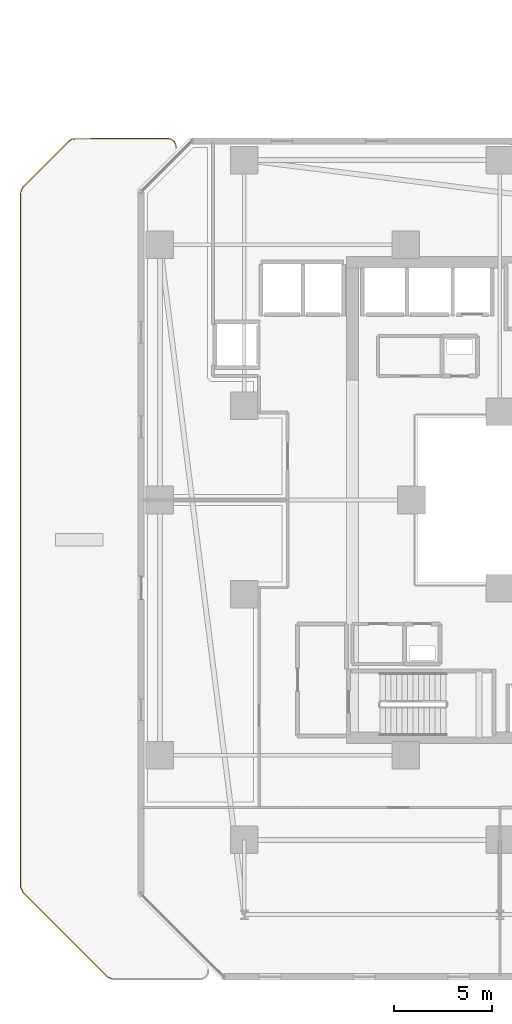
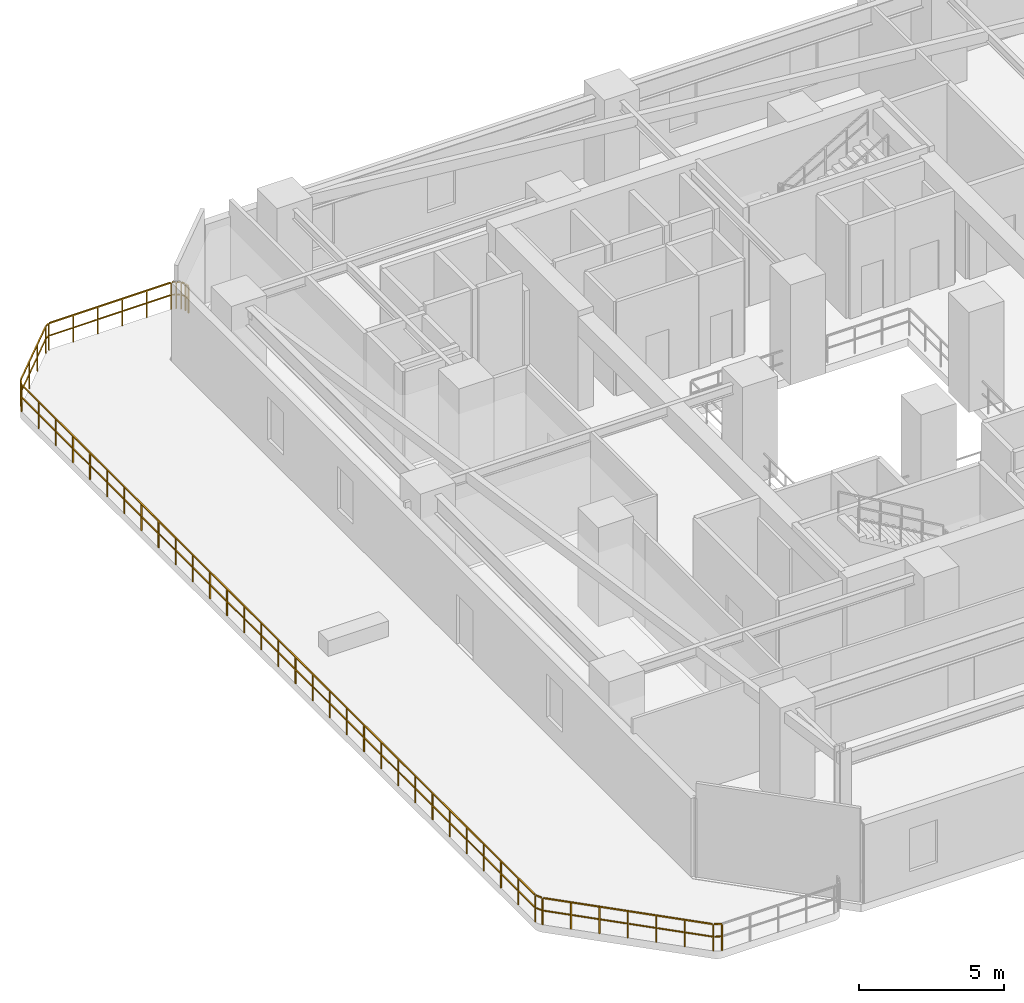
# One storey, part 29 of 33: 1 railing.
"""IFC4 building model written with IfcOpenShell, lengths in metres."""

from ifc_helpers import new_model, si_unit, direction, frame, origin, origin_2d, place, context, subcontext, project, spatial, rectangle, extrude, material, type_object, element, save


model = new_model("IFC4")

# Units and contexts
model_context = context("Model", 3, precision=1e-05, world=origin(), true_north=direction((0.0, 1.0)))
body_context = subcontext(model_context, "Body", "Model", "MODEL_VIEW")
ifc_project = project(units=[si_unit("LENGTHUNIT", "METRE"), si_unit("AREAUNIT", "SQUARE_METRE"), si_unit("VOLUMEUNIT", "CUBIC_METRE"), si_unit("PLANEANGLEUNIT", "RADIAN"), si_unit("MASSUNIT", "GRAM", prefix="KILO")], contexts=[model_context])

# Site, building, storey
site_placement = place(None, origin())
site = spatial("IfcSite", under=ifc_project, at=site_placement, CompositionType="ELEMENT")
building_placement = place(site_placement, origin())
building = spatial("IfcBuilding", under=site, at=building_placement, Name="Thornwick Lancets Civic Towers", CompositionType="ELEMENT")
storey_placement = place(building_placement, frame((0.0, 0.0, 49.5)))
storey = spatial("IfcBuildingStorey", under=building, at=storey_placement, Name="L12", CompositionType="ELEMENT", Elevation=49.5)

# Railing
ifc_material = material(Name="Terracotta-capped laminated glass balustrade S355", Category="masonry")
railing_type = type_object("IfcRailingType", Name="RAIL_TERR_GUARD", PredefinedType="GUARDRAIL", material=ifc_material)
railing_placement = place(storey_placement, frame((5.806396484375, 2.602294921875, 0.0)))
element("IfcRailing", 1, at=railing_placement, inside=storey, type_object=railing_type, Name="L12 Tower A Sky-Garden Guard 1 Part 1", PredefinedType="GUARDRAIL", context=body_context, shape_type="SweptSolid", body=[
    extrude(rectangle(XDim=0.048095703125, YDim=0.048095703125, at=origin_2d()), frame((0.0, 0.0, 1.1259765625), z_axis=(-0.904343633652, 0.426805098696, 0.0), x_axis=(-0.426805098696, -0.904343633652, 0.0)), (0.0, 0.0, 1.0), 0.27197265625),
    extrude(rectangle(XDim=0.0419921875, YDim=0.0419921875, at=origin_2d()), frame((-0.033935546875, 0.01611328125, 0.597900390625), z_axis=(-0.904343633652, 0.426805098696, 0.0), x_axis=(-0.426805098696, -0.904343633652, 0.0)), (0.0, 0.0, 1.0), 0.228271484375),
    extrude(rectangle(XDim=0.048095703125, YDim=0.048095703125, at=origin_2d()), frame((-0.29638671875, 0.151611328125, 1.1259765625), z_axis=(-0.707106781187, 0.707106781187, 0.0), x_axis=(-0.707106781187, -0.707106781187, 0.0)), (0.0, 0.0, 1.0), 6.019287109375),
    extrude(rectangle(XDim=0.0419921875, YDim=0.0419921875, at=origin_2d()), frame((-0.30078125, 0.156005859375, 0.597900390625), z_axis=(-0.707106781187, 0.707106781187, 0.0), x_axis=(-0.707106781187, -0.707106781187, 0.0)), (0.0, 0.0, 1.0), 0.938720703125),
    extrude(rectangle(XDim=0.0419921875, YDim=0.0419921875, at=origin_2d()), frame((-1.017333984375, 0.87255859375, 0.597900390625), z_axis=(-0.707106781187, 0.707106781187, 0.0), x_axis=(-0.707106781187, -0.707106781187, 0.0)), (0.0, 0.0, 1.0), 0.938720703125),
    extrude(rectangle(XDim=0.0419921875, YDim=0.0419921875, at=origin_2d()), frame((-1.734130859375, 1.58935546875, 0.597900390625), z_axis=(-0.707106781187, 0.707106781187, 0.0), x_axis=(-0.707106781187, -0.707106781187, 0.0)), (0.0, 0.0, 1.0), 0.938720703125),
    extrude(rectangle(XDim=0.0419921875, YDim=0.0419921875, at=origin_2d()), frame((-2.450927734375, 2.30615234375, 0.597900390625), z_axis=(-0.707106781187, 0.707106781187, 0.0), x_axis=(-0.707106781187, -0.707106781187, 0.0)), (0.0, 0.0, 1.0), 0.938720703125),
    extrude(rectangle(XDim=0.0419921875, YDim=0.0419921875, at=origin_2d()), frame((-3.167724609375, 3.02294921875, 0.597900390625), z_axis=(-0.707106781187, 0.707106781187, 0.0), x_axis=(-0.707106781187, -0.707106781187, 0.0)), (0.0, 0.0, 1.0), 0.938720703125),
    extrude(rectangle(XDim=0.0419921875, YDim=0.0419921875, at=origin_2d()), frame((-3.884521484375, 3.73974609375, 0.597900390625), z_axis=(-0.707106781187, 0.707106781187, 0.0), x_axis=(-0.707106781187, -0.707106781187, 0.0)), (0.0, 0.0, 1.0), 0.938720703125),
    extrude(rectangle(XDim=0.048095703125, YDim=0.048095703125, at=origin_2d()), frame((-4.588134765625, 4.458251953125, 1.1259765625), z_axis=(-0.426805098696, 0.904343633652, 0.0), x_axis=(-0.904343633652, -0.426805098696, 0.0)), (0.0, 0.0, 1.0), 0.24072265625),
    extrude(rectangle(XDim=0.0419921875, YDim=0.0419921875, at=origin_2d()), frame((-4.5908203125, 4.4638671875, 0.597900390625), z_axis=(-0.426805098696, 0.904343633652, 0.0), x_axis=(-0.904343633652, -0.426805098696, 0.0)), (0.0, 0.0, 1.0), 0.228271484375),
    extrude(rectangle(XDim=0.048095703125, YDim=0.048095703125, at=origin_2d()), frame((-4.7041015625, 4.7353515625, 1.1259765625), z_axis=(0.0, 1.0, 0.0), x_axis=(-1.0, 0.0, 0.0)), (0.0, 0.0, 1.0), 35.288818359375),
    extrude(rectangle(XDim=0.0419921875, YDim=0.0419921875, at=origin_2d()), frame((-4.7041015625, 4.74169921875, 0.597900390625), z_axis=(0.0, 1.0, 0.0), x_axis=(-1.0, 0.0, 0.0)), (0.0, 0.0, 1.0), 1.103271484375),
    extrude(rectangle(XDim=0.0419921875, YDim=0.0419921875, at=origin_2d()), frame((-4.7041015625, 5.919921875, 0.597900390625), z_axis=(0.0, 1.0, 0.0), x_axis=(-1.0, 0.0, 0.0)), (0.0, 0.0, 1.0), 1.103271484375),
    extrude(rectangle(XDim=0.0419921875, YDim=0.0419921875, at=origin_2d()), frame((-4.7041015625, 7.098388671875, 0.597900390625), z_axis=(0.0, 1.0, 0.0), x_axis=(-1.0, 0.0, 0.0)), (0.0, 0.0, 1.0), 1.103271484375),
    extrude(rectangle(XDim=0.0419921875, YDim=0.0419921875, at=origin_2d()), frame((-4.7041015625, 8.276611328125, 0.597900390625), z_axis=(0.0, 1.0, 0.0), x_axis=(-1.0, 0.0, 0.0)), (0.0, 0.0, 1.0), 1.103271484375),
    extrude(rectangle(XDim=0.0419921875, YDim=0.0419921875, at=origin_2d()), frame((-4.7041015625, 9.455078125, 0.597900390625), z_axis=(0.0, 1.0, 0.0), x_axis=(-1.0, 0.0, 0.0)), (0.0, 0.0, 1.0), 1.103271484375),
    extrude(rectangle(XDim=0.0419921875, YDim=0.0419921875, at=origin_2d()), frame((-4.7041015625, 10.633544921875, 0.597900390625), z_axis=(0.0, 1.0, 0.0), x_axis=(-1.0, 0.0, 0.0)), (0.0, 0.0, 1.0), 1.103271484375),
    extrude(rectangle(XDim=0.0419921875, YDim=0.0419921875, at=origin_2d()), frame((-4.7041015625, 11.811767578125, 0.597900390625), z_axis=(0.0, 1.0, 0.0), x_axis=(-1.0, 0.0, 0.0)), (0.0, 0.0, 1.0), 1.103271484375),
    extrude(rectangle(XDim=0.0419921875, YDim=0.0419921875, at=origin_2d()), frame((-4.7041015625, 12.990234375, 0.597900390625), z_axis=(0.0, 1.0, 0.0), x_axis=(-1.0, 0.0, 0.0)), (0.0, 0.0, 1.0), 1.103271484375),
    extrude(rectangle(XDim=0.0419921875, YDim=0.0419921875, at=origin_2d()), frame((-4.7041015625, 14.168701171875, 0.597900390625), z_axis=(0.0, 1.0, 0.0), x_axis=(-1.0, 0.0, 0.0)), (0.0, 0.0, 1.0), 1.103271484375),
    extrude(rectangle(XDim=0.0419921875, YDim=0.0419921875, at=origin_2d()), frame((-4.7041015625, 15.346923828125, 0.597900390625), z_axis=(0.0, 1.0, 0.0), x_axis=(-1.0, 0.0, 0.0)), (0.0, 0.0, 1.0), 1.103271484375),
    extrude(rectangle(XDim=0.0419921875, YDim=0.0419921875, at=origin_2d()), frame((-4.7041015625, 16.525390625, 0.597900390625), z_axis=(0.0, 1.0, 0.0), x_axis=(-1.0, 0.0, 0.0)), (0.0, 0.0, 1.0), 1.103271484375),
    extrude(rectangle(XDim=0.0419921875, YDim=0.0419921875, at=origin_2d()), frame((-4.7041015625, 17.703857421875, 0.597900390625), z_axis=(0.0, 1.0, 0.0), x_axis=(-1.0, 0.0, 0.0)), (0.0, 0.0, 1.0), 1.103271484375),
    extrude(rectangle(XDim=0.0419921875, YDim=0.0419921875, at=origin_2d()), frame((-4.7041015625, 18.882080078125, 0.597900390625), z_axis=(0.0, 1.0, 0.0), x_axis=(-1.0, 0.0, 0.0)), (0.0, 0.0, 1.0), 1.103271484375),
    extrude(rectangle(XDim=0.0419921875, YDim=0.0419921875, at=origin_2d()), frame((-4.7041015625, 20.060546875, 0.597900390625), z_axis=(0.0, 1.0, 0.0), x_axis=(-1.0, 0.0, 0.0)), (0.0, 0.0, 1.0), 1.103271484375),
    extrude(rectangle(XDim=0.0419921875, YDim=0.0419921875, at=origin_2d()), frame((-4.7041015625, 21.23876953125, 0.597900390625), z_axis=(0.0, 1.0, 0.0), x_axis=(-1.0, 0.0, 0.0)), (0.0, 0.0, 1.0), 1.103271484375),
    extrude(rectangle(XDim=0.0419921875, YDim=0.0419921875, at=origin_2d()), frame((-4.7041015625, 22.417236328125, 0.597900390625), z_axis=(0.0, 1.0, 0.0), x_axis=(-1.0, 0.0, 0.0)), (0.0, 0.0, 1.0), 1.103271484375),
    extrude(rectangle(XDim=0.0419921875, YDim=0.0419921875, at=origin_2d()), frame((-4.7041015625, 23.595703125, 0.597900390625), z_axis=(0.0, 1.0, 0.0), x_axis=(-1.0, 0.0, 0.0)), (0.0, 0.0, 1.0), 1.103271484375),
    extrude(rectangle(XDim=0.0419921875, YDim=0.0419921875, at=origin_2d()), frame((-4.7041015625, 24.77392578125, 0.597900390625), z_axis=(0.0, 1.0, 0.0), x_axis=(-1.0, 0.0, 0.0)), (0.0, 0.0, 1.0), 1.103271484375),
    extrude(rectangle(XDim=0.0419921875, YDim=0.0419921875, at=origin_2d()), frame((-4.7041015625, 25.952392578125, 0.597900390625), z_axis=(0.0, 1.0, 0.0), x_axis=(-1.0, 0.0, 0.0)), (0.0, 0.0, 1.0), 1.103271484375),
    extrude(rectangle(XDim=0.0419921875, YDim=0.0419921875, at=origin_2d()), frame((-4.7041015625, 27.130859375, 0.597900390625), z_axis=(0.0, 1.0, 0.0), x_axis=(-1.0, 0.0, 0.0)), (0.0, 0.0, 1.0), 1.103271484375),
    extrude(rectangle(XDim=0.0419921875, YDim=0.0419921875, at=origin_2d()), frame((-4.7041015625, 28.30908203125, 0.597900390625), z_axis=(0.0, 1.0, 0.0), x_axis=(-1.0, 0.0, 0.0)), (0.0, 0.0, 1.0), 1.103271484375),
    extrude(rectangle(XDim=0.0419921875, YDim=0.0419921875, at=origin_2d()), frame((-4.7041015625, 29.487548828125, 0.597900390625), z_axis=(0.0, 1.0, 0.0), x_axis=(-1.0, 0.0, 0.0)), (0.0, 0.0, 1.0), 1.103271484375),
    extrude(rectangle(XDim=0.0419921875, YDim=0.0419921875, at=origin_2d()), frame((-4.7041015625, 30.666015625, 0.597900390625), z_axis=(0.0, 1.0, 0.0), x_axis=(-1.0, 0.0, 0.0)), (0.0, 0.0, 1.0), 1.103271484375),
    extrude(rectangle(XDim=0.0419921875, YDim=0.0419921875, at=origin_2d()), frame((-4.7041015625, 31.84423828125, 0.597900390625), z_axis=(0.0, 1.0, 0.0), x_axis=(-1.0, 0.0, 0.0)), (0.0, 0.0, 1.0), 1.103271484375),
    extrude(rectangle(XDim=0.0419921875, YDim=0.0419921875, at=origin_2d()), frame((-4.7041015625, 33.022705078125, 0.597900390625), z_axis=(0.0, 1.0, 0.0), x_axis=(-1.0, 0.0, 0.0)), (0.0, 0.0, 1.0), 1.103271484375),
    extrude(rectangle(XDim=0.0419921875, YDim=0.0419921875, at=origin_2d()), frame((-4.7041015625, 34.200927734375, 0.597900390625), z_axis=(0.0, 1.0, 0.0), x_axis=(-1.0, 0.0, 0.0)), (0.0, 0.0, 1.0), 1.103271484375),
    extrude(rectangle(XDim=0.0419921875, YDim=0.0419921875, at=origin_2d()), frame((-4.7041015625, 35.37939453125, 0.597900390625), z_axis=(0.0, 1.0, 0.0), x_axis=(-1.0, 0.0, 0.0)), (0.0, 0.0, 1.0), 1.103271484375),
    extrude(rectangle(XDim=0.0419921875, YDim=0.0419921875, at=origin_2d()), frame((-4.7041015625, 36.557861328125, 0.597900390625), z_axis=(0.0, 1.0, 0.0), x_axis=(-1.0, 0.0, 0.0)), (0.0, 0.0, 1.0), 1.103271484375),
    extrude(rectangle(XDim=0.0419921875, YDim=0.0419921875, at=origin_2d()), frame((-4.7041015625, 37.736083984375, 0.597900390625), z_axis=(0.0, 1.0, 0.0), x_axis=(-1.0, 0.0, 0.0)), (0.0, 0.0, 1.0), 1.103271484375),
    extrude(rectangle(XDim=0.0419921875, YDim=0.0419921875, at=origin_2d()), frame((-4.7041015625, 38.91455078125, 0.597900390625), z_axis=(0.0, 1.0, 0.0), x_axis=(-1.0, 0.0, 0.0)), (0.0, 0.0, 1.0), 1.103271484375),
    extrude(rectangle(XDim=0.048095703125, YDim=0.048095703125, at=origin_2d()), frame((-4.690673828125, 40.083740234375, 1.1259765625), z_axis=(0.426805098696, 0.904343633652, 0.0), x_axis=(-0.904343633652, 0.426805098696, 0.0)), (0.0, 0.0, 1.0), 0.24072265625),
    extrude(rectangle(XDim=0.0419921875, YDim=0.0419921875, at=origin_2d()), frame((-4.68798828125, 40.08935546875, 0.597900390625), z_axis=(0.426805098696, 0.904343633652, 0.0), x_axis=(-0.904343633652, 0.426805098696, 0.0)), (0.0, 0.0, 1.0), 0.228271484375),
    extrude(rectangle(XDim=0.048095703125, YDim=0.048095703125, at=origin_2d()), frame((-4.552490234375, 40.351806640625, 1.1259765625), z_axis=(0.707106781187, 0.707106781187, 0.0), x_axis=(-0.707106781187, 0.707106781187, 0.0)), (0.0, 0.0, 1.0), 3.24169921875),
    extrude(rectangle(XDim=0.0419921875, YDim=0.0419921875, at=origin_2d()), frame((-4.548095703125, 40.356201171875, 0.597900390625), z_axis=(0.707106781187, 0.707106781187, 0.0), x_axis=(-0.707106781187, 0.707106781187, 0.0)), (0.0, 0.0, 1.0), 1.0263671875),
    extrude(rectangle(XDim=0.0419921875, YDim=0.0419921875, at=origin_2d()), frame((-3.769287109375, 41.135009765625, 0.597900390625), z_axis=(0.707106781187, 0.707106781187, 0.0), x_axis=(-0.707106781187, 0.707106781187, 0.0)), (0.0, 0.0, 1.0), 1.0263671875),
    extrude(rectangle(XDim=0.0419921875, YDim=0.0419921875, at=origin_2d()), frame((-2.990478515625, 41.913818359375, 0.597900390625), z_axis=(0.707106781187, 0.707106781187, 0.0), x_axis=(-0.707106781187, 0.707106781187, 0.0)), (0.0, 0.0, 1.0), 1.0263671875),
    extrude(rectangle(XDim=0.048095703125, YDim=0.048095703125, at=origin_2d()), frame((-2.21142578125, 42.68212890625, 1.1259765625), z_axis=(0.858181432178, 0.513346500392, 0.0), x_axis=(-0.513346500392, 0.858181432178, 0.0)), (0.0, 0.0, 1.0), 0.15625),
    extrude(rectangle(XDim=0.0419921875, YDim=0.0419921875, at=origin_2d()), frame((-2.2060546875, 42.685302734375, 0.597900390625), z_axis=(0.858181432178, 0.513346500392, 0.0), x_axis=(-0.513346500392, 0.858181432178, 0.0)), (0.0, 0.0, 1.0), 0.143798828125),
    extrude(rectangle(XDim=0.048095703125, YDim=0.048095703125, at=origin_2d()), frame((-2.019287109375, 42.7783203125, 1.1259765625), z_axis=(0.999993851715, 0.003506641099, 0.0), x_axis=(-0.003506641099, 0.999993851715, 0.0)), (0.0, 0.0, 1.0), 4.81103515625),
    extrude(rectangle(XDim=0.0419921875, YDim=0.0419921875, at=origin_2d()), frame((-2.012939453125, 42.778564453125, 0.597900390625), z_axis=(0.999993851715, 0.003506641099, 0.0), x_axis=(-0.003506641099, 0.999993851715, 0.0)), (0.0, 0.0, 1.0), 0.899658203125),
    extrude(rectangle(XDim=0.0419921875, YDim=0.0419921875, at=origin_2d()), frame((-1.038330078125, 42.781982421875, 0.597900390625), z_axis=(0.999993851715, 0.003506641099, 0.0), x_axis=(-0.003506641099, 0.999993851715, 0.0)), (0.0, 0.0, 1.0), 0.899658203125),
    extrude(rectangle(XDim=0.0419921875, YDim=0.0419921875, at=origin_2d()), frame((-0.063720703125, 42.785400390625, 0.597900390625), z_axis=(0.999993851715, 0.003506641099, 0.0), x_axis=(-0.003506641099, 0.999993851715, 0.0)), (0.0, 0.0, 1.0), 0.899658203125),
    extrude(rectangle(XDim=0.0419921875, YDim=0.0419921875, at=origin_2d()), frame((0.9111328125, 42.788818359375, 0.597900390625), z_axis=(0.999993851715, 0.003506641099, 0.0), x_axis=(-0.003506641099, 0.999993851715, 0.0)), (0.0, 0.0, 1.0), 0.899658203125),
    extrude(rectangle(XDim=0.0419921875, YDim=0.0419921875, at=origin_2d()), frame((1.8857421875, 42.792236328125, 0.597900390625), z_axis=(0.999993851715, 0.003506641099, 0.0), x_axis=(-0.003506641099, 0.999993851715, 0.0)), (0.0, 0.0, 1.0), 0.899658203125),
    extrude(rectangle(XDim=0.048095703125, YDim=0.048095703125, at=origin_2d()), frame((2.85302734375, 42.786376953125, 1.1259765625), z_axis=(0.957211427299, -0.289389501276, 0.0), x_axis=(0.289389501276, 0.957211427299, 0.0)), (0.0, 0.0, 1.0), 0.113037109375),
    extrude(rectangle(XDim=0.0419921875, YDim=0.0419921875, at=origin_2d()), frame((2.85888671875, 42.78466796875, 0.597900390625), z_axis=(0.957211427299, -0.289389501276, 0.0), x_axis=(0.289389501276, 0.957211427299, 0.0)), (0.0, 0.0, 1.0), 0.1005859375),
    extrude(rectangle(XDim=0.048095703125, YDim=0.048095703125, at=origin_2d()), frame((3.01513671875, 42.724853515625, 1.1259765625), z_axis=(0.773213238462, -0.634146109242, 0.0), x_axis=(0.634146109242, 0.773213238462, 0.0)), (0.0, 0.0, 1.0), 0.113037109375),
    extrude(rectangle(XDim=0.0419921875, YDim=0.0419921875, at=origin_2d()), frame((3.02001953125, 42.720947265625, 0.597900390625), z_axis=(0.773213238462, -0.634146109242, 0.0), x_axis=(0.634146109242, 0.773213238462, 0.0)), (0.0, 0.0, 1.0), 0.1005859375),
    extrude(rectangle(XDim=0.048095703125, YDim=0.048095703125, at=origin_2d()), frame((3.141357421875, 42.605712890625, 1.1259765625), z_axis=(0.470948722639, -0.882160586654, 0.0), x_axis=(0.882160586654, 0.470948722639, 0.0)), (0.0, 0.0, 1.0), 0.11328125),
    extrude(rectangle(XDim=0.0419921875, YDim=0.0419921875, at=origin_2d()), frame((3.144287109375, 42.600341796875, 0.597900390625), z_axis=(0.470948722639, -0.882160586654, 0.0), x_axis=(0.882160586654, 0.470948722639, 0.0)), (0.0, 0.0, 1.0), 0.100830078125),
    extrude(rectangle(XDim=0.048095703125, YDim=0.048095703125, at=origin_2d()), frame((3.21240234375, 42.447265625, 1.1259765625), z_axis=(0.094101126617, -0.99556264392, 0.0), x_axis=(0.99556264392, 0.094101126617, 0.0)), (0.0, 0.0, 1.0), 0.147705078125),
    extrude(rectangle(XDim=0.0419921875, YDim=0.0419921875, at=origin_2d()), frame((3.212890625, 42.44091796875, 0.597900390625), z_axis=(0.094101126617, -0.99556264392, 0.0), x_axis=(0.99556264392, 0.094101126617, 0.0)), (0.0, 0.0, 1.0), 0.10400390625),
    extrude(rectangle(XDim=0.0419921875, YDim=0.0419921875, at=origin_2d()), origin(), (0.0, 0.0, 1.0), 1.095703125),
    extrude(rectangle(XDim=0.0419921875, YDim=0.0419921875, at=origin_2d()), frame((-0.274169921875, 0.12939453125, 0.0)), (0.0, 0.0, 1.0), 1.095703125),
    extrude(rectangle(XDim=0.0419921875, YDim=0.0419921875, at=origin_2d()), frame((-0.990966796875, 0.84619140625, 0.0)), (0.0, 0.0, 1.0), 1.095703125),
    extrude(rectangle(XDim=0.0419921875, YDim=0.0419921875, at=origin_2d()), frame((-1.707763671875, 1.56298828125, 0.0)), (0.0, 0.0, 1.0), 1.095703125),
    extrude(rectangle(XDim=0.0419921875, YDim=0.0419921875, at=origin_2d()), frame((-2.42431640625, 2.27978515625, 0.0)), (0.0, 0.0, 1.0), 1.095703125),
    extrude(rectangle(XDim=0.0419921875, YDim=0.0419921875, at=origin_2d()), frame((-3.14111328125, 2.996337890625, 0.0)), (0.0, 0.0, 1.0), 1.095703125),
    extrude(rectangle(XDim=0.0419921875, YDim=0.0419921875, at=origin_2d()), frame((-3.85791015625, 3.713134765625, 0.0)), (0.0, 0.0, 1.0), 1.095703125),
    extrude(rectangle(XDim=0.0419921875, YDim=0.0419921875, at=origin_2d()), frame((-4.57470703125, 4.429931640625, 0.0)), (0.0, 0.0, 1.0), 1.095703125),
    extrude(rectangle(XDim=0.0419921875, YDim=0.0419921875, at=origin_2d()), frame((-4.7041015625, 4.7041015625, 0.0)), (0.0, 0.0, 1.0), 1.095703125),
    extrude(rectangle(XDim=0.0419921875, YDim=0.0419921875, at=origin_2d()), frame((-4.7041015625, 5.882568359375, 0.0)), (0.0, 0.0, 1.0), 1.095703125),
    extrude(rectangle(XDim=0.0419921875, YDim=0.0419921875, at=origin_2d()), frame((-4.7041015625, 7.060791015625, 0.0)), (0.0, 0.0, 1.0), 1.095703125),
    extrude(rectangle(XDim=0.0419921875, YDim=0.0419921875, at=origin_2d()), frame((-4.7041015625, 8.2392578125, 0.0)), (0.0, 0.0, 1.0), 1.095703125),
    extrude(rectangle(XDim=0.0419921875, YDim=0.0419921875, at=origin_2d()), frame((-4.7041015625, 9.417724609375, 0.0)), (0.0, 0.0, 1.0), 1.095703125),
    extrude(rectangle(XDim=0.0419921875, YDim=0.0419921875, at=origin_2d()), frame((-4.7041015625, 10.595947265625, 0.0)), (0.0, 0.0, 1.0), 1.095703125),
    extrude(rectangle(XDim=0.0419921875, YDim=0.0419921875, at=origin_2d()), frame((-4.7041015625, 11.7744140625, 0.0)), (0.0, 0.0, 1.0), 1.095703125),
    extrude(rectangle(XDim=0.0419921875, YDim=0.0419921875, at=origin_2d()), frame((-4.7041015625, 12.95263671875, 0.0)), (0.0, 0.0, 1.0), 1.095703125),
    extrude(rectangle(XDim=0.0419921875, YDim=0.0419921875, at=origin_2d()), frame((-4.7041015625, 14.131103515625, 0.0)), (0.0, 0.0, 1.0), 1.095703125),
    extrude(rectangle(XDim=0.0419921875, YDim=0.0419921875, at=origin_2d()), frame((-4.7041015625, 15.3095703125, 0.0)), (0.0, 0.0, 1.0), 1.095703125),
    extrude(rectangle(XDim=0.0419921875, YDim=0.0419921875, at=origin_2d()), frame((-4.7041015625, 16.48779296875, 0.0)), (0.0, 0.0, 1.0), 1.095703125),
    extrude(rectangle(XDim=0.0419921875, YDim=0.0419921875, at=origin_2d()), frame((-4.7041015625, 17.666259765625, 0.0)), (0.0, 0.0, 1.0), 1.095703125),
    extrude(rectangle(XDim=0.0419921875, YDim=0.0419921875, at=origin_2d()), frame((-4.7041015625, 18.8447265625, 0.0)), (0.0, 0.0, 1.0), 1.095703125),
    extrude(rectangle(XDim=0.0419921875, YDim=0.0419921875, at=origin_2d()), frame((-4.7041015625, 20.02294921875, 0.0)), (0.0, 0.0, 1.0), 1.095703125),
    extrude(rectangle(XDim=0.0419921875, YDim=0.0419921875, at=origin_2d()), frame((-4.7041015625, 21.201416015625, 0.0)), (0.0, 0.0, 1.0), 1.095703125),
    extrude(rectangle(XDim=0.0419921875, YDim=0.0419921875, at=origin_2d()), frame((-4.7041015625, 22.3798828125, 0.0)), (0.0, 0.0, 1.0), 1.095703125),
    extrude(rectangle(XDim=0.0419921875, YDim=0.0419921875, at=origin_2d()), frame((-4.7041015625, 23.55810546875, 0.0)), (0.0, 0.0, 1.0), 1.095703125),
    extrude(rectangle(XDim=0.0419921875, YDim=0.0419921875, at=origin_2d()), frame((-4.7041015625, 24.736572265625, 0.0)), (0.0, 0.0, 1.0), 1.095703125),
    extrude(rectangle(XDim=0.0419921875, YDim=0.0419921875, at=origin_2d()), frame((-4.7041015625, 25.914794921875, 0.0)), (0.0, 0.0, 1.0), 1.095703125),
    extrude(rectangle(XDim=0.0419921875, YDim=0.0419921875, at=origin_2d()), frame((-4.7041015625, 27.09326171875, 0.0)), (0.0, 0.0, 1.0), 1.095703125),
    extrude(rectangle(XDim=0.0419921875, YDim=0.0419921875, at=origin_2d()), frame((-4.7041015625, 28.271728515625, 0.0)), (0.0, 0.0, 1.0), 1.095703125),
    extrude(rectangle(XDim=0.0419921875, YDim=0.0419921875, at=origin_2d()), frame((-4.7041015625, 29.449951171875, 0.0)), (0.0, 0.0, 1.0), 1.095703125),
    extrude(rectangle(XDim=0.0419921875, YDim=0.0419921875, at=origin_2d()), frame((-4.7041015625, 30.62841796875, 0.0)), (0.0, 0.0, 1.0), 1.095703125),
    extrude(rectangle(XDim=0.0419921875, YDim=0.0419921875, at=origin_2d()), frame((-4.7041015625, 31.806884765625, 0.0)), (0.0, 0.0, 1.0), 1.095703125),
    extrude(rectangle(XDim=0.0419921875, YDim=0.0419921875, at=origin_2d()), frame((-4.7041015625, 32.985107421875, 0.0)), (0.0, 0.0, 1.0), 1.095703125),
    extrude(rectangle(XDim=0.0419921875, YDim=0.0419921875, at=origin_2d()), frame((-4.7041015625, 34.16357421875, 0.0)), (0.0, 0.0, 1.0), 1.095703125),
    extrude(rectangle(XDim=0.0419921875, YDim=0.0419921875, at=origin_2d()), frame((-4.7041015625, 35.341796875, 0.0)), (0.0, 0.0, 1.0), 1.095703125),
    extrude(rectangle(XDim=0.0419921875, YDim=0.0419921875, at=origin_2d()), frame((-4.7041015625, 36.520263671875, 0.0)), (0.0, 0.0, 1.0), 1.095703125),
    extrude(rectangle(XDim=0.0419921875, YDim=0.0419921875, at=origin_2d()), frame((-4.7041015625, 37.69873046875, 0.0)), (0.0, 0.0, 1.0), 1.095703125),
    extrude(rectangle(XDim=0.0419921875, YDim=0.0419921875, at=origin_2d()), frame((-4.7041015625, 38.876953125, 0.0)), (0.0, 0.0, 1.0), 1.095703125),
    extrude(rectangle(XDim=0.0419921875, YDim=0.0419921875, at=origin_2d()), frame((-4.7041015625, 40.055419921875, 0.0)), (0.0, 0.0, 1.0), 1.095703125),
    extrude(rectangle(XDim=0.0419921875, YDim=0.0419921875, at=origin_2d()), frame((-4.57470703125, 40.32958984375, 0.0)), (0.0, 0.0, 1.0), 1.095703125),
    extrude(rectangle(XDim=0.0419921875, YDim=0.0419921875, at=origin_2d()), frame((-3.7958984375, 41.1083984375, 0.0)), (0.0, 0.0, 1.0), 1.095703125),
    extrude(rectangle(XDim=0.0419921875, YDim=0.0419921875, at=origin_2d()), frame((-3.01708984375, 41.88720703125, 0.0)), (0.0, 0.0, 1.0), 1.095703125),
    extrude(rectangle(XDim=0.0419921875, YDim=0.0419921875, at=origin_2d()), frame((-2.23828125, 42.666015625, 0.0)), (0.0, 0.0, 1.0), 1.095703125),
    extrude(rectangle(XDim=0.0419921875, YDim=0.0419921875, at=origin_2d()), frame((-2.050537109375, 42.7783203125, 0.0)), (0.0, 0.0, 1.0), 1.095703125),
    extrude(rectangle(XDim=0.0419921875, YDim=0.0419921875, at=origin_2d()), frame((-1.075927734375, 42.78173828125, 0.0)), (0.0, 0.0, 1.0), 1.095703125),
    extrude(rectangle(XDim=0.0419921875, YDim=0.0419921875, at=origin_2d()), frame((-0.10107421875, 42.78515625, 0.0)), (0.0, 0.0, 1.0), 1.095703125),
    extrude(rectangle(XDim=0.0419921875, YDim=0.0419921875, at=origin_2d()), frame((0.87353515625, 42.78857421875, 0.0)), (0.0, 0.0, 1.0), 1.095703125),
    extrude(rectangle(XDim=0.0419921875, YDim=0.0419921875, at=origin_2d()), frame((1.848388671875, 42.7919921875, 0.0)), (0.0, 0.0, 1.0), 1.095703125),
    extrude(rectangle(XDim=0.0419921875, YDim=0.0419921875, at=origin_2d()), frame((2.822998046875, 42.79541015625, 0.0)), (0.0, 0.0, 1.0), 1.095703125),
    extrude(rectangle(XDim=0.0419921875, YDim=0.0419921875, at=origin_2d()), frame((2.990966796875, 42.74462890625, 0.0)), (0.0, 0.0, 1.0), 1.095703125),
    extrude(rectangle(XDim=0.0419921875, YDim=0.0419921875, at=origin_2d()), frame((3.126708984375, 42.63330078125, 0.0)), (0.0, 0.0, 1.0), 1.095703125),
    extrude(rectangle(XDim=0.0419921875, YDim=0.0419921875, at=origin_2d()), frame((3.20947265625, 42.478271484375, 0.0)), (0.0, 0.0, 1.0), 1.095703125),
    extrude(rectangle(XDim=0.0419921875, YDim=0.0419921875, at=origin_2d()), frame((3.226318359375, 42.300048828125, 0.0)), (0.0, 0.0, 1.0), 1.095703125),
])

save(model, "model.ifc")
